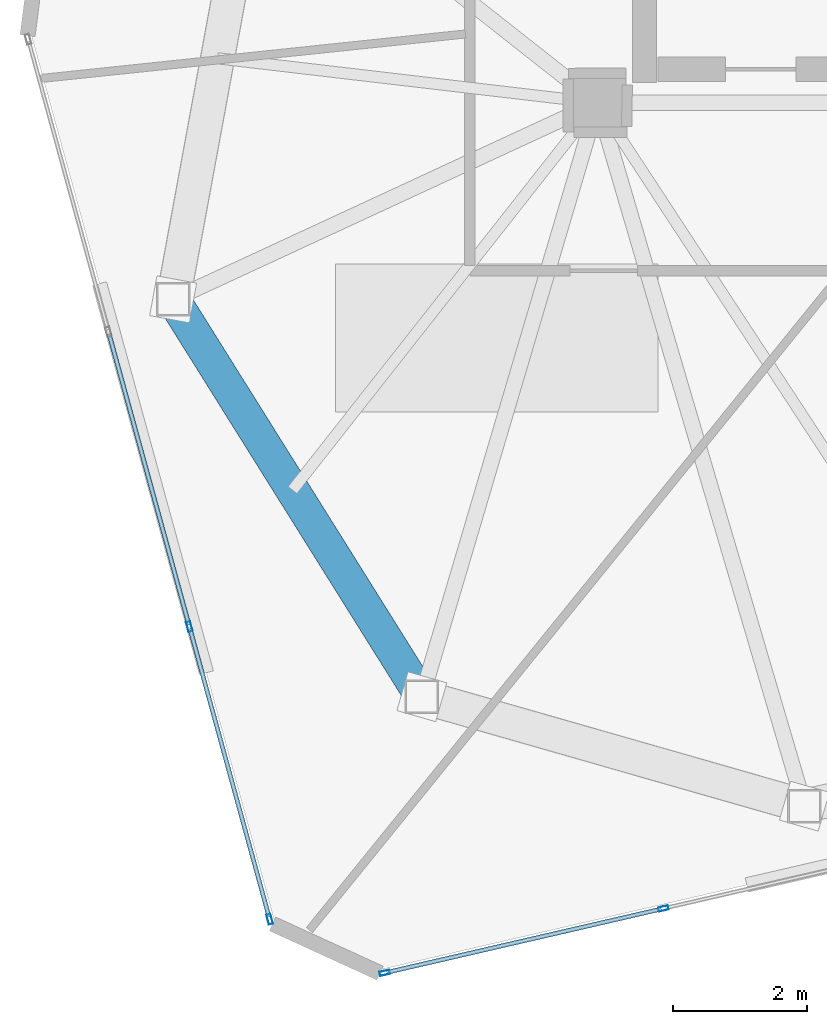
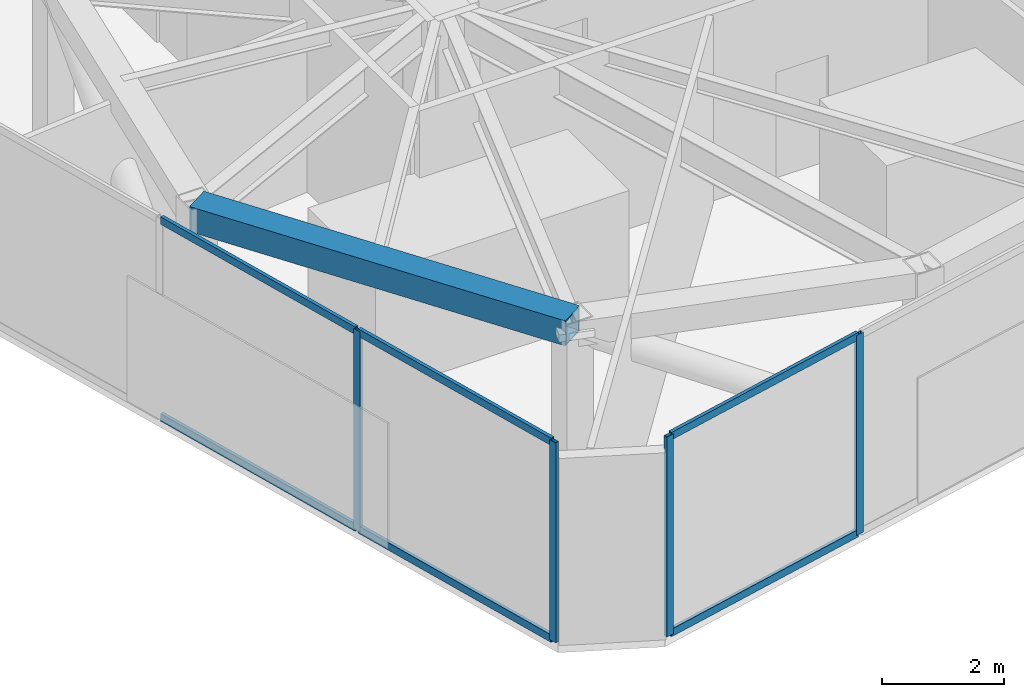
# One storey, part 2 of 21: 10 members, 1 beam, 2 elements without a shape of their own.
"""IFC4 building model written with IfcOpenShell, lengths in metres."""

from ifc_helpers import new_model, si_unit, direction, frame, origin, origin_2d, place, context, subcontext, project, spatial, hollow_rectangle, extrude, source, transform, mapped, material, layer, layer_set, material_profile, profile_set, type_object, type_shapes, element, aggregate, save


model = new_model("IFC4")

# Units and contexts
model_context = context("Model", 3, precision=1e-05, world=origin(), true_north=direction((0.0, 1.0)))
body_context = subcontext(model_context, "Body", "Model", "MODEL_VIEW")
ifc_project = project(units=[si_unit("LENGTHUNIT", "METRE"), si_unit("AREAUNIT", "SQUARE_METRE"), si_unit("VOLUMEUNIT", "CUBIC_METRE"), si_unit("PLANEANGLEUNIT", "RADIAN"), si_unit("MASSUNIT", "GRAM", prefix="KILO")], contexts=[model_context])

# Site, building, storey
site_placement = place(None, origin())
site = spatial("IfcSite", under=ifc_project, at=site_placement, CompositionType="ELEMENT")
building_placement = place(site_placement, origin())
building = spatial("IfcBuilding", under=site, at=building_placement, Name="Talar Marvaseh", CompositionType="ELEMENT")
storey_placement = place(building_placement, frame((0.0, 0.0, 304.0)))
storey = spatial("IfcBuildingStorey", under=building, at=storey_placement, Name="L81", CompositionType="ELEMENT", Elevation=304.0)

# Beam
ifc_material_1 = material(Name="Steel S460", Category="steel")
ifc_material_profile_1 = material_profile(ifc_material_1, hollow_rectangle(XDim=0.5, YDim=0.5, WallThickness=0.02490234375, at=origin_2d()), Name="BOX500x500x25")
ifc_profile_set_1 = profile_set([ifc_material_profile_1], Name="Steel S460")
beam_type = type_object("IfcBeamType", Name="Crown Frame Top Ring Beam BOX500x500x25", PredefinedType="BEAM", material=ifc_profile_set_1)
beam_placement = place(storey_placement, frame((16.0869140625, 16.66796875, 3.489990234375), z_axis=(-0.530505706813, 0.847681364098, 0.0), x_axis=(-0.847681364098, -0.530505706813, 0.0)))
element("IfcBeam", 1, at=beam_placement, inside=storey, type_object=beam_type, Name="L81 Crown Frame Top Ring Beam BOX500x500x25", PredefinedType="BEAM", context=body_context, shape_type="SweptSolid", body=[
    extrude(hollow_rectangle(XDim=0.5, YDim=0.5, WallThickness=0.02490234375, at=origin_2d()), origin(), (0.0, 0.0, 1.0), 6.970703125),
])

# Curtain wall, members
ifc_material_2 = material(Name="Architectural Aluminium", Category="aluminium")
ifc_layer = layer(ifc_material_2, 0.2099609375)
ifc_layer_set = layer_set([ifc_layer], Name="Architectural Aluminium")
curtain_wall_type = type_object("IfcCurtainWallType", Name="Crown Plant Acoustic Spandrel Curtain Wall", PredefinedType="NOTDEFINED", material=ifc_layer_set)
curtain_wall_1_placement = place(storey_placement, origin())
curtain_wall_1 = element("IfcCurtainWall", 2, at=curtain_wall_1_placement, inside=storey, type_object=curtain_wall_type, Name="L81 Crown Plant Acoustic Spandrel Curtain Wall", PredefinedType="NOTDEFINED")
ifc_material_profile_2 = material_profile(ifc_material_2, hollow_rectangle(XDim=0.06494140625, YDim=0.14990234375, WallThickness=0.00390625, at=origin_2d()), Name="RHS150x65x4")
ifc_profile_set_2 = profile_set([ifc_material_profile_2], Name="Architectural Aluminium")
member_type_1 = type_object("IfcMemberType", Name="Unitised Curtain Wall Slim Transom RHS150x65x4", PredefinedType="USERDEFINED", material=ifc_profile_set_2)
shared_shape_1 = source(origin(), body_context, "Body", "SweptSolid", [
    extrude(hollow_rectangle(XDim=0.06494140625, YDim=0.14990234375, WallThickness=0.00390625, at=origin_2d()), origin(), (0.0, 0.0, 1.0), 4.479736328125),
])
member_1_placement = place(storey_placement, frame((12.62158203125, 17.74169921875, 0.032470703125), z_axis=(-0.264643446384, 0.96434633109, 0.0), x_axis=(-0.96434633109, -0.264643446384, 0.0)))
member_1 = element("IfcMember", 3, at=member_1_placement, type_object=member_type_1, Name="CW-CRN transom 2.1", ObjectType="TRANSOM", PredefinedType="USERDEFINED", context=body_context, shape_type="MappedRepresentation", body=[
    mapped(shared_shape_1, transform((0.0, 0.0, 0.0), x_axis=(1.0, 0.0, 0.0), y_axis=(0.0, 1.0, 0.0), z_axis=(0.0, 0.0, 1.0), scale=1.0)),
])
member_2_placement = place(storey_placement, frame((12.62158203125, 17.74169921875, 3.967529296875), z_axis=(-0.264643446384, 0.96434633109, 0.0), x_axis=(-0.96434633109, -0.264643446384, 0.0)))
member_2 = element("IfcMember", 4, at=member_2_placement, type_object=member_type_1, Name="CW-CRN transom 2.2", ObjectType="TRANSOM", PredefinedType="USERDEFINED", context=body_context, shape_type="MappedRepresentation", body=[
    mapped(shared_shape_1, transform((0.0, 0.0, 0.0), x_axis=(1.0, 0.0, 0.0), y_axis=(0.0, 1.0, 0.0), z_axis=(0.0, 0.0, 1.0), scale=1.0)),
])
shared_shape_2 = source(origin(), body_context, "Body", "SweptSolid", [
    extrude(hollow_rectangle(XDim=0.06494140625, YDim=0.14990234375, WallThickness=0.00390625, at=origin_2d()), origin(), (0.0, 0.0, 1.0), 4.447509765625),
])
member_3_placement = place(storey_placement, frame((13.81591796875, 13.39013671875, 0.032470703125), z_axis=(-0.264649917498, 0.964344555213, 0.0), x_axis=(-0.964344555213, -0.264649917498, 0.0)))
member_3 = element("IfcMember", 5, at=member_3_placement, type_object=member_type_1, Name="CW-CRN transom 1.1", ObjectType="TRANSOM", PredefinedType="USERDEFINED", context=body_context, shape_type="MappedRepresentation", body=[
    mapped(shared_shape_2, transform((0.0, 0.0, 0.0), x_axis=(1.0, 0.0, 0.0), y_axis=(0.0, 1.0, 0.0), z_axis=(0.0, 0.0, 1.0), scale=1.0)),
])
member_4_placement = place(storey_placement, frame((13.81591796875, 13.39013671875, 3.967529296875), z_axis=(-0.264649917498, 0.964344555213, 0.0), x_axis=(-0.964344555213, -0.264649917498, 0.0)))
member_4 = element("IfcMember", 6, at=member_4_placement, type_object=member_type_1, Name="CW-CRN transom 1.2", ObjectType="TRANSOM", PredefinedType="USERDEFINED", context=body_context, shape_type="MappedRepresentation", body=[
    mapped(shared_shape_2, transform((0.0, 0.0, 0.0), x_axis=(1.0, 0.0, 0.0), y_axis=(0.0, 1.0, 0.0), z_axis=(0.0, 0.0, 1.0), scale=1.0)),
])

curtain_wall_2_placement = place(storey_placement, origin())
curtain_wall_2 = element("IfcCurtainWall", 7, at=curtain_wall_2_placement, inside=storey, type_object=curtain_wall_type, Name="L81 Crown Plant Acoustic Spandrel Curtain Wall", PredefinedType="NOTDEFINED")
shared_shape_3 = source(origin(), body_context, "Body", "SweptSolid", [
    extrude(hollow_rectangle(XDim=0.06494140625, YDim=0.14990234375, WallThickness=0.00390625, at=origin_2d()), origin(), (0.0, 0.0, 1.0), 4.1884765625),
])
type_shapes(member_type_1, [shared_shape_1, shared_shape_2, shared_shape_3])
member_5_placement = place(storey_placement, frame((19.647705078125, 13.51123046875, 0.032470703125), z_axis=(-0.974334186725, -0.225106402796, 0.0), x_axis=(0.225106402796, -0.974334186725, 0.0)))
member_5 = element("IfcMember", 8, at=member_5_placement, type_object=member_type_1, Name="CW-CRN transom 4.1", ObjectType="TRANSOM", PredefinedType="USERDEFINED", context=body_context, shape_type="MappedRepresentation", body=[
    mapped(shared_shape_3, transform((0.0, 0.0, 0.0), x_axis=(1.0, 0.0, 0.0), y_axis=(0.0, 1.0, 0.0), z_axis=(0.0, 0.0, 1.0), scale=1.0)),
])
member_6_placement = place(storey_placement, frame((19.647705078125, 13.51123046875, 3.967529296875), z_axis=(-0.974334186725, -0.225106402796, 0.0), x_axis=(0.225106402796, -0.974334186725, 0.0)))
member_6 = element("IfcMember", 9, at=member_6_placement, type_object=member_type_1, Name="CW-CRN transom 4.2", ObjectType="TRANSOM", PredefinedType="USERDEFINED", context=body_context, shape_type="MappedRepresentation", body=[
    mapped(shared_shape_3, transform((0.0, 0.0, 0.0), x_axis=(1.0, 0.0, 0.0), y_axis=(0.0, 1.0, 0.0), z_axis=(0.0, 0.0, 1.0), scale=1.0)),
])

# Member
ifc_material_profile_3 = material_profile(ifc_material_2, hollow_rectangle(XDim=0.06494140625, YDim=0.14990234375, WallThickness=0.00390625, at=origin_2d()), Name="RHS150x65x4")
ifc_profile_set_3 = profile_set([ifc_material_profile_3], Name="Architectural Aluminium")
member_type_2 = type_object("IfcMemberType", Name="Unitised Curtain Wall Slim Mullion RHS150x65x4", PredefinedType="MULLION", material=ifc_profile_set_3)
shared_shape_4 = source(origin(), body_context, "Body", "SweptSolid", [
    extrude(hollow_rectangle(XDim=0.06494140625, YDim=0.14990234375, WallThickness=0.00390625, at=origin_2d()), origin(), (0.0, 0.0, 1.0), 4.0),
])
type_shapes(member_type_2, [shared_shape_4])
member_7_placement = place(storey_placement, frame((13.824462890625, 13.35888671875, 0.0), z_axis=(0.0, 0.0, 1.0), x_axis=(-0.964344721115, -0.264649312974, 0.0)))
member_7 = element("IfcMember", 10, at=member_7_placement, type_object=member_type_2, Name="CW-CRN mullion 1", PredefinedType="MULLION", context=body_context, shape_type="MappedRepresentation", body=[
    mapped(shared_shape_4, transform((0.0, 0.0, 0.0), x_axis=(1.0, 0.0, 0.0), y_axis=(0.0, 1.0, 0.0), z_axis=(0.0, 0.0, 1.0), scale=1.0)),
])

member_8_placement = place(storey_placement, frame((12.630126953125, 17.71044921875, 0.0), z_axis=(0.0, 0.0, 1.0), x_axis=(-0.964344721115, -0.264649312974, 0.0)))
member_8 = element("IfcMember", 11, at=member_8_placement, type_object=member_type_2, Name="CW-CRN mullion 2", PredefinedType="MULLION", context=body_context, shape_type="MappedRepresentation", body=[
    mapped(shared_shape_4, transform((0.0, 0.0, 0.0), x_axis=(1.0, 0.0, 0.0), y_axis=(0.0, 1.0, 0.0), z_axis=(0.0, 0.0, 1.0), scale=1.0)),
])

aggregate(curtain_wall_1, [member_7, member_8, member_3, member_4, member_1, member_2])

member_9_placement = place(storey_placement, frame((19.679443359375, 13.5185546875, 0.0), z_axis=(0.0, 0.0, 1.0), x_axis=(0.225103157943, -0.974334936397, 0.0)))
member_9 = element("IfcMember", 12, at=member_9_placement, type_object=member_type_2, Name="CW-CRN mullion 4", PredefinedType="MULLION", context=body_context, shape_type="MappedRepresentation", body=[
    mapped(shared_shape_4, transform((0.0, 0.0, 0.0), x_axis=(1.0, 0.0, 0.0), y_axis=(0.0, 1.0, 0.0), z_axis=(0.0, 0.0, 1.0), scale=1.0)),
])

member_10_placement = place(storey_placement, frame((15.534912109375, 12.56103515625, 0.0), z_axis=(0.0, 0.0, 1.0), x_axis=(0.225103157943, -0.974334936397, 0.0)))
member_10 = element("IfcMember", 13, at=member_10_placement, type_object=member_type_2, Name="CW-CRN mullion 5", PredefinedType="MULLION", context=body_context, shape_type="MappedRepresentation", body=[
    mapped(shared_shape_4, transform((0.0, 0.0, 0.0), x_axis=(1.0, 0.0, 0.0), y_axis=(0.0, 1.0, 0.0), z_axis=(0.0, 0.0, 1.0), scale=1.0)),
])

aggregate(curtain_wall_2, [member_9, member_10, member_5, member_6])

save(model, "model.ifc")
